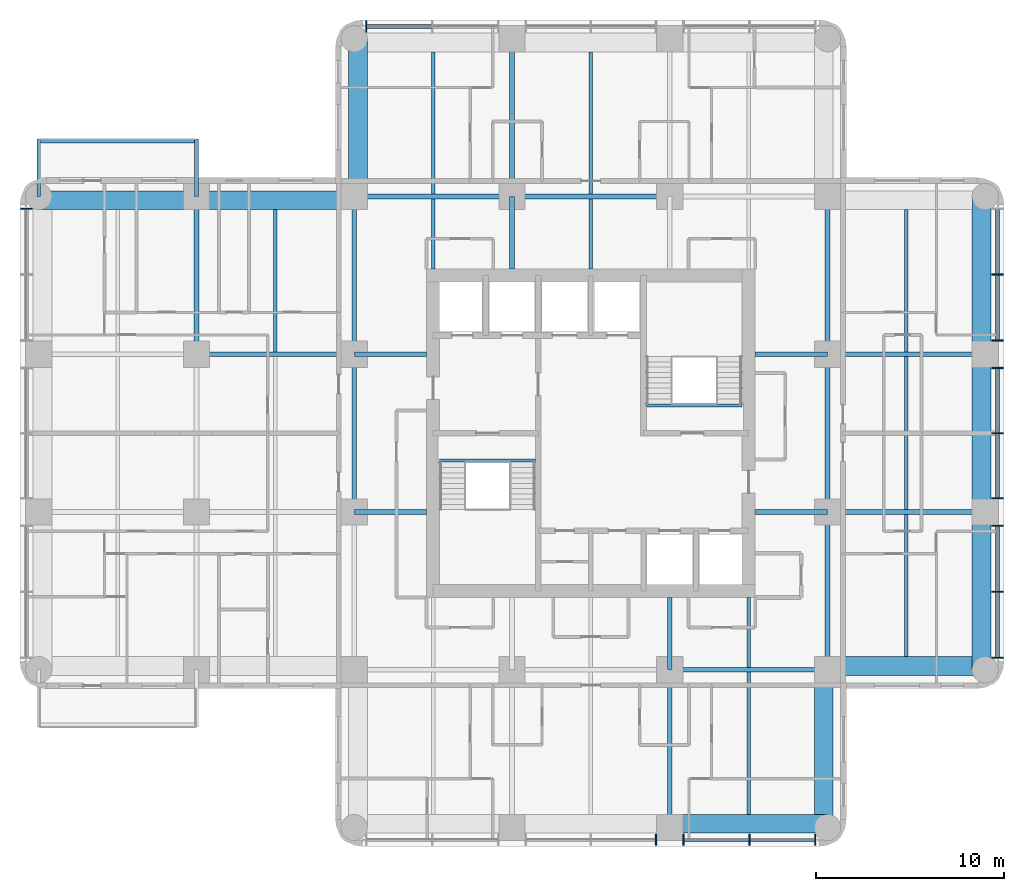
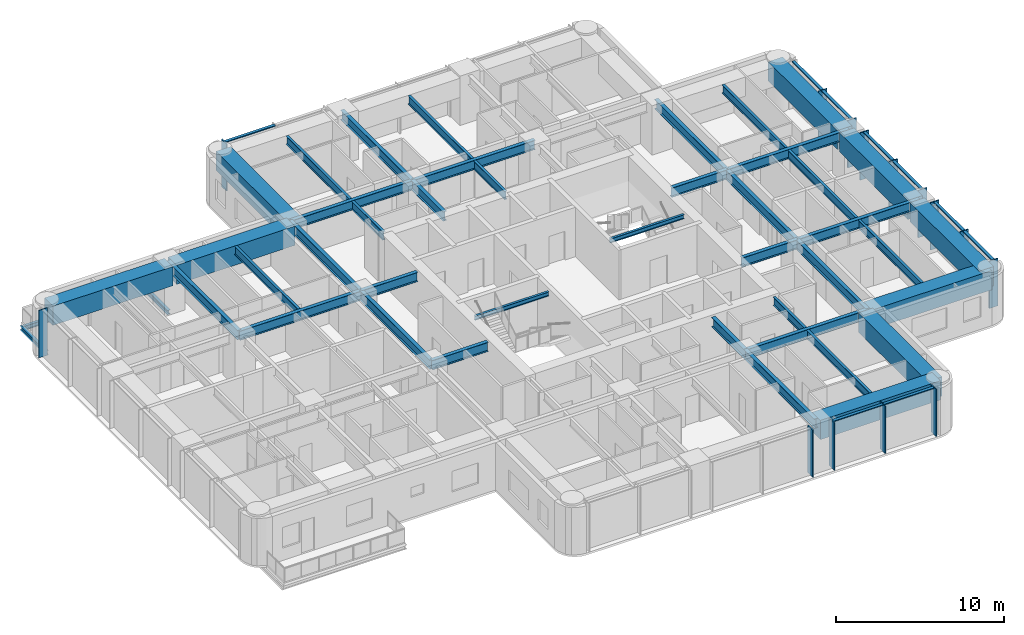
# One storey, part 2 of 11: 44 beams, 23 members, 4 elements without a shape of their own.
"""IFC4 building model written with IfcOpenShell, lengths in metres."""

from ifc_helpers import new_model, si_unit, direction, frame, origin, origin_2d, place, context, subcontext, project, spatial, rectangle, i_section, extrude, material, material_profile, profile_set, type_object, element, aggregate, save


model = new_model("IFC4")

# Units and contexts
model_context = context("Model", 3, precision=1e-05, world=origin(), true_north=direction((0.0, 1.0)))
body_context = subcontext(model_context, "Body", "Model", "MODEL_VIEW")
ifc_project = project(units=[si_unit("LENGTHUNIT", "METRE"), si_unit("AREAUNIT", "SQUARE_METRE"), si_unit("VOLUMEUNIT", "CUBIC_METRE"), si_unit("PLANEANGLEUNIT", "RADIAN"), si_unit("MASSUNIT", "GRAM", prefix="KILO")], contexts=[model_context])

# Site, building, storey
site_placement = place(None, origin())
site = spatial("IfcSite", under=ifc_project, at=site_placement, CompositionType="ELEMENT")
building_placement = place(site_placement, origin())
building = spatial("IfcBuilding", under=site, at=building_placement, Name="Torre Alcanfor", CompositionType="ELEMENT")
storey_placement = place(building_placement, frame((0.0, 0.0, 190.5)))
storey = spatial("IfcBuildingStorey", under=building, at=storey_placement, Name="L49", CompositionType="ELEMENT", Elevation=190.5)

# Beams
ifc_material_1 = material(Name="Steel ASTM A992 Grade 50", Category="steel")
ifc_material_profile_1 = material_profile(ifc_material_1, i_section(OverallWidth=0.205322265625, OverallDepth=0.309814453125, WebThickness=0.00927734375, FlangeThickness=0.016357421875, at=origin_2d()), Name="W12x50")
ifc_profile_set_1 = profile_set([ifc_material_profile_1], Name="Steel ASTM A992 Grade 50")
beam_type_1 = type_object("IfcBeamType", Name="Balcony cantilever beam W12x50", PredefinedType="BEAM", material=ifc_profile_set_1)
for number, where, z_axis, x_axis, name in (
    (1, (8.39990234375, 42.0, -0.35498046875), (0.0, 1.0, 0.0), (-1.0, 0.0, 0.0), "Balcony cantilever beam L49-W2 1"),
    (2, (0.0, 42.0, -0.35498046875), (0.0, 1.0, 0.0), (-1.0, 0.0, 0.0), "Balcony cantilever beam L49-W2 2"),
):
    element("IfcBeam", number, at=place(storey_placement, frame(where, z_axis=z_axis, x_axis=x_axis)), inside=storey, type_object=beam_type_1, Name=name, PredefinedType="BEAM", context=body_context, shape_type="SweptSolid", body=[
        extrude(i_section(OverallWidth=0.205322265625, OverallDepth=0.309814453125, WebThickness=0.00927734375, FlangeThickness=0.016357421875, at=origin_2d()), origin(), (0.0, 0.0, 1.0), 3.050048828125),
    ])
ifc_material_2 = material(Name="Steel ASTM A992 Grade 50", Category="steel")
ifc_material_profile_2 = material_profile(ifc_material_2, i_section(OverallWidth=0.203369140625, OverallDepth=0.30224609375, WebThickness=0.007568359375, FlangeThickness=0.01318359375, at=origin_2d()), Name="W12x40")
ifc_profile_set_2 = profile_set([ifc_material_profile_2], Name="Steel ASTM A992 Grade 50")
beam_type_2 = type_object("IfcBeamType", Name="Balcony edge trimmer W12x40", PredefinedType="BEAM", material=ifc_profile_set_2)
beam_1_placement = place(storey_placement, frame((8.39990234375, 44.9482421875, -0.35107421875), z_axis=(-1.0, 0.0, 0.0), x_axis=(0.0, -1.0, 0.0)))
element("IfcBeam", 3, at=beam_1_placement, inside=storey, type_object=beam_type_2, Name="Balcony edge trimmer L49-W2", PredefinedType="BEAM", context=body_context, shape_type="SweptSolid", body=[
    extrude(i_section(OverallWidth=0.203369140625, OverallDepth=0.30224609375, WebThickness=0.007568359375, FlangeThickness=0.01318359375, at=origin_2d()), origin(), (0.0, 0.0, 1.0), 8.39990234375),
])

# Curtain wall, member
ifc_material_3 = material(Name="Aluminium and glass", Category="aluminium")
curtain_wall_type = type_object("IfcCurtainWallType", Name="CW-A unitised apartment glazing with vertical FIN", PredefinedType="NOTDEFINED", material=ifc_material_3)
curtain_wall_1_placement = place(storey_placement, origin())
curtain_wall_1 = element("IfcCurtainWall", 4, at=curtain_wall_1_placement, inside=storey, type_object=curtain_wall_type, Name="Curtain wall CW-A L49 2", PredefinedType="NOTDEFINED")
ifc_material_4 = material(Name="Bronze anodised aluminium", Category="aluminium")
ifc_material_profile_3 = material_profile(ifc_material_4, rectangle(XDim=0.60009765625, YDim=0.06494140625, at=origin_2d()), Name="CW-A mullion 65x600")
ifc_profile_set_3 = profile_set([ifc_material_profile_3], Name="Bronze anodised aluminium")
member_type_1 = type_object("IfcMemberType", Name="CW-A mullion with vertical FIN 65x600", PredefinedType="MULLION", material=ifc_profile_set_3)
member_1_placement = place(storey_placement, frame((-0.64990234375, 41.35546875, 0.0), z_axis=(0.0, 0.0, 1.0), x_axis=(1.0, 0.0, 0.0)))
member_1 = element("IfcMember", 5, at=member_1_placement, type_object=member_type_1, Name="CW-A mullion 1.1", PredefinedType="MULLION", context=body_context, shape_type="SweptSolid", body=[
    extrude(rectangle(XDim=0.60009765625, YDim=0.06494140625, at=origin_2d()), origin(), (0.0, 0.0, 1.0), 3.449951171875),
])
aggregate(curtain_wall_1, [member_1])

# Curtain wall, members
curtain_wall_2_placement = place(storey_placement, origin())
curtain_wall_2 = element("IfcCurtainWall", 6, at=curtain_wall_2_placement, inside=storey, type_object=curtain_wall_type, Name="Curtain wall CW-A L49 5", PredefinedType="NOTDEFINED")
member_2_placement = place(storey_placement, frame((32.862548828125, 7.75, 0.0), z_axis=(0.0, 0.0, 1.0), x_axis=(0.0, 1.0, 0.0)))
member_2 = element("IfcMember", 7, at=member_2_placement, type_object=member_type_1, Name="CW-A mullion 2.3", PredefinedType="MULLION", context=body_context, shape_type="SweptSolid", body=[
    extrude(rectangle(XDim=0.60009765625, YDim=0.06494140625, at=origin_2d()), origin(), (0.0, 0.0, 1.0), 3.449951171875),
])
member_3_placement = place(storey_placement, frame((34.33740234375, 7.75, 0.0), z_axis=(0.0, 0.0, 1.0), x_axis=(0.0, 1.0, 0.0)))
member_3 = element("IfcMember", 8, at=member_3_placement, type_object=member_type_1, Name="CW-A mullion 3.1", PredefinedType="MULLION", context=body_context, shape_type="SweptSolid", body=[
    extrude(rectangle(XDim=0.60009765625, YDim=0.06494140625, at=origin_2d()), origin(), (0.0, 0.0, 1.0), 3.449951171875),
])
member_4_placement = place(storey_placement, frame((37.846435546875, 7.75, 0.0), z_axis=(0.0, 0.0, 1.0), x_axis=(0.0, 1.0, 0.0)))
member_4 = element("IfcMember", 9, at=member_4_placement, type_object=member_type_1, Name="CW-A mullion 3.2", PredefinedType="MULLION", context=body_context, shape_type="SweptSolid", body=[
    extrude(rectangle(XDim=0.60009765625, YDim=0.06494140625, at=origin_2d()), origin(), (0.0, 0.0, 1.0), 3.449951171875),
])
member_5_placement = place(storey_placement, frame((41.35546875, 7.75, 0.0), z_axis=(0.0, 0.0, 1.0), x_axis=(0.0, 1.0, 0.0)))
member_5 = element("IfcMember", 10, at=member_5_placement, type_object=member_type_1, Name="CW-A mullion 3.3", PredefinedType="MULLION", context=body_context, shape_type="SweptSolid", body=[
    extrude(rectangle(XDim=0.60009765625, YDim=0.06494140625, at=origin_2d()), origin(), (0.0, 0.0, 1.0), 3.449951171875),
])

curtain_wall_3_placement = place(storey_placement, origin())
curtain_wall_3 = element("IfcCurtainWall", 11, at=curtain_wall_3_placement, inside=storey, type_object=curtain_wall_type, Name="Curtain wall CW-A L49 8", PredefinedType="NOTDEFINED")
member_6_placement = place(storey_placement, frame((51.050048828125, 17.444580078125, 0.0), z_axis=(0.0, 0.0, 1.0), x_axis=(-1.0, 0.0, 0.0)))
member_6 = element("IfcMember", 12, at=member_6_placement, type_object=member_type_1, Name="CW-A mullion 1.1", PredefinedType="MULLION", context=body_context, shape_type="SweptSolid", body=[
    extrude(rectangle(XDim=0.60009765625, YDim=0.06494140625, at=origin_2d()), origin(), (0.0, 0.0, 1.0), 3.449951171875),
])
member_7_placement = place(storey_placement, frame((51.050048828125, 20.95361328125, 0.0), z_axis=(0.0, 0.0, 1.0), x_axis=(-1.0, 0.0, 0.0)))
member_7 = element("IfcMember", 13, at=member_7_placement, type_object=member_type_1, Name="CW-A mullion 1.2", PredefinedType="MULLION", context=body_context, shape_type="SweptSolid", body=[
    extrude(rectangle(XDim=0.60009765625, YDim=0.06494140625, at=origin_2d()), origin(), (0.0, 0.0, 1.0), 3.449951171875),
])
member_8_placement = place(storey_placement, frame((51.050048828125, 24.46240234375, 0.0), z_axis=(0.0, 0.0, 1.0), x_axis=(-1.0, 0.0, 0.0)))
member_8 = element("IfcMember", 14, at=member_8_placement, type_object=member_type_1, Name="CW-A mullion 1.3", PredefinedType="MULLION", context=body_context, shape_type="SweptSolid", body=[
    extrude(rectangle(XDim=0.60009765625, YDim=0.06494140625, at=origin_2d()), origin(), (0.0, 0.0, 1.0), 3.449951171875),
])
member_9_placement = place(storey_placement, frame((51.050048828125, 25.9375, 0.0), z_axis=(0.0, 0.0, 1.0), x_axis=(-1.0, 0.0, 0.0)))
member_9 = element("IfcMember", 15, at=member_9_placement, type_object=member_type_1, Name="CW-A mullion 2.1", PredefinedType="MULLION", context=body_context, shape_type="SweptSolid", body=[
    extrude(rectangle(XDim=0.60009765625, YDim=0.06494140625, at=origin_2d()), origin(), (0.0, 0.0, 1.0), 3.449951171875),
])
member_10_placement = place(storey_placement, frame((51.050048828125, 29.39990234375, 0.0), z_axis=(0.0, 0.0, 1.0), x_axis=(-1.0, 0.0, 0.0)))
member_10 = element("IfcMember", 16, at=member_10_placement, type_object=member_type_1, Name="CW-A mullion 2.2", PredefinedType="MULLION", context=body_context, shape_type="SweptSolid", body=[
    extrude(rectangle(XDim=0.60009765625, YDim=0.06494140625, at=origin_2d()), origin(), (0.0, 0.0, 1.0), 3.449951171875),
])
member_11_placement = place(storey_placement, frame((51.050048828125, 32.862548828125, 0.0), z_axis=(0.0, 0.0, 1.0), x_axis=(-1.0, 0.0, 0.0)))
member_11 = element("IfcMember", 17, at=member_11_placement, type_object=member_type_1, Name="CW-A mullion 2.3", PredefinedType="MULLION", context=body_context, shape_type="SweptSolid", body=[
    extrude(rectangle(XDim=0.60009765625, YDim=0.06494140625, at=origin_2d()), origin(), (0.0, 0.0, 1.0), 3.449951171875),
])
member_12_placement = place(storey_placement, frame((51.050048828125, 34.33740234375, 0.0), z_axis=(0.0, 0.0, 1.0), x_axis=(-1.0, 0.0, 0.0)))
member_12 = element("IfcMember", 18, at=member_12_placement, type_object=member_type_1, Name="CW-A mullion 3.1", PredefinedType="MULLION", context=body_context, shape_type="SweptSolid", body=[
    extrude(rectangle(XDim=0.60009765625, YDim=0.06494140625, at=origin_2d()), origin(), (0.0, 0.0, 1.0), 3.449951171875),
])
member_13_placement = place(storey_placement, frame((51.050048828125, 37.846435546875, 0.0), z_axis=(0.0, 0.0, 1.0), x_axis=(-1.0, 0.0, 0.0)))
member_13 = element("IfcMember", 19, at=member_13_placement, type_object=member_type_1, Name="CW-A mullion 3.2", PredefinedType="MULLION", context=body_context, shape_type="SweptSolid", body=[
    extrude(rectangle(XDim=0.60009765625, YDim=0.06494140625, at=origin_2d()), origin(), (0.0, 0.0, 1.0), 3.449951171875),
])

# Curtain wall, member
curtain_wall_4_placement = place(storey_placement, origin())
curtain_wall_4 = element("IfcCurtainWall", 20, at=curtain_wall_4_placement, inside=storey, type_object=curtain_wall_type, Name="Curtain wall CW-A L49 11", PredefinedType="NOTDEFINED")
member_14_placement = place(storey_placement, frame((17.444580078125, 51.050048828125, 0.0), z_axis=(0.0, 0.0, 1.0), x_axis=(0.0, -1.0, 0.0)))
member_14 = element("IfcMember", 21, at=member_14_placement, type_object=member_type_1, Name="CW-A mullion 3.3", PredefinedType="MULLION", context=body_context, shape_type="SweptSolid", body=[
    extrude(rectangle(XDim=0.60009765625, YDim=0.06494140625, at=origin_2d()), origin(), (0.0, 0.0, 1.0), 3.449951171875),
])

# Member
ifc_material_5 = material(Name="Extruded aluminium", Category="aluminium")
ifc_material_profile_4 = material_profile(ifc_material_5, rectangle(XDim=0.199951171875, YDim=0.06494140625, at=origin_2d()), Name="CW-A transom 200x65")
ifc_profile_set_4 = profile_set([ifc_material_profile_4], Name="Extruded aluminium")
member_type_2 = type_object("IfcMemberType", Name="CW-A transom 65x200", PredefinedType="USERDEFINED", material=ifc_profile_set_4)
member_15_placement = place(storey_placement, frame((34.3701171875, 7.75, 3.41748046875), z_axis=(1.0, 0.0, 0.0), x_axis=(0.0, 1.0, 0.0)))
member_15 = element("IfcMember", 22, at=member_15_placement, type_object=member_type_2, Name="CW-A transom 3.1.2", ObjectType="TRANSOM", PredefinedType="USERDEFINED", context=body_context, shape_type="SweptSolid", body=[
    extrude(rectangle(XDim=0.199951171875, YDim=0.06494140625, at=origin_2d()), origin(), (0.0, 0.0, 1.0), 3.44384765625),
])

member_16_placement = place(storey_placement, frame((37.87890625, 7.75, 3.41748046875), z_axis=(1.0, 0.0, 0.0), x_axis=(0.0, 1.0, 0.0)))
member_16 = element("IfcMember", 23, at=member_16_placement, type_object=member_type_2, Name="CW-A transom 3.2.2", ObjectType="TRANSOM", PredefinedType="USERDEFINED", context=body_context, shape_type="SweptSolid", body=[
    extrude(rectangle(XDim=0.199951171875, YDim=0.06494140625, at=origin_2d()), origin(), (0.0, 0.0, 1.0), 3.444091796875),
])

aggregate(curtain_wall_2, [member_2, member_3, member_4, member_5, member_15, member_16])

member_17_placement = place(storey_placement, frame((51.050048828125, 17.47705078125, 3.41748046875), z_axis=(0.0, 1.0, 0.0), x_axis=(-1.0, 0.0, 0.0)))
member_17 = element("IfcMember", 24, at=member_17_placement, type_object=member_type_2, Name="CW-A transom 1.1.2", ObjectType="TRANSOM", PredefinedType="USERDEFINED", context=body_context, shape_type="SweptSolid", body=[
    extrude(rectangle(XDim=0.199951171875, YDim=0.06494140625, at=origin_2d()), origin(), (0.0, 0.0, 1.0), 3.44384765625),
])

member_18_placement = place(storey_placement, frame((51.050048828125, 20.986083984375, 3.41748046875), z_axis=(0.0, 1.0, 0.0), x_axis=(-1.0, 0.0, 0.0)))
member_18 = element("IfcMember", 25, at=member_18_placement, type_object=member_type_2, Name="CW-A transom 1.2.2", ObjectType="TRANSOM", PredefinedType="USERDEFINED", context=body_context, shape_type="SweptSolid", body=[
    extrude(rectangle(XDim=0.199951171875, YDim=0.06494140625, at=origin_2d()), origin(), (0.0, 0.0, 1.0), 3.44384765625),
])

member_19_placement = place(storey_placement, frame((51.050048828125, 25.969970703125, 3.41748046875), z_axis=(0.0, 1.0, 0.0), x_axis=(-1.0, 0.0, 0.0)))
member_19 = element("IfcMember", 26, at=member_19_placement, type_object=member_type_2, Name="CW-A transom 2.1.2", ObjectType="TRANSOM", PredefinedType="USERDEFINED", context=body_context, shape_type="SweptSolid", body=[
    extrude(rectangle(XDim=0.199951171875, YDim=0.06494140625, at=origin_2d()), origin(), (0.0, 0.0, 1.0), 3.3974609375),
])

member_20_placement = place(storey_placement, frame((51.050048828125, 29.4326171875, 3.41748046875), z_axis=(0.0, 1.0, 0.0), x_axis=(-1.0, 0.0, 0.0)))
member_20 = element("IfcMember", 27, at=member_20_placement, type_object=member_type_2, Name="CW-A transom 2.2.2", ObjectType="TRANSOM", PredefinedType="USERDEFINED", context=body_context, shape_type="SweptSolid", body=[
    extrude(rectangle(XDim=0.199951171875, YDim=0.06494140625, at=origin_2d()), origin(), (0.0, 0.0, 1.0), 3.3974609375),
])

member_21_placement = place(storey_placement, frame((51.050048828125, 34.3701171875, 3.41748046875), z_axis=(0.0, 1.0, 0.0), x_axis=(-1.0, 0.0, 0.0)))
member_21 = element("IfcMember", 28, at=member_21_placement, type_object=member_type_2, Name="CW-A transom 3.1.2", ObjectType="TRANSOM", PredefinedType="USERDEFINED", context=body_context, shape_type="SweptSolid", body=[
    extrude(rectangle(XDim=0.199951171875, YDim=0.06494140625, at=origin_2d()), origin(), (0.0, 0.0, 1.0), 3.44384765625),
])

member_22_placement = place(storey_placement, frame((51.050048828125, 37.87890625, 3.41748046875), z_axis=(0.0, 1.0, 0.0), x_axis=(-1.0, 0.0, 0.0)))
member_22 = element("IfcMember", 29, at=member_22_placement, type_object=member_type_2, Name="CW-A transom 3.2.2", ObjectType="TRANSOM", PredefinedType="USERDEFINED", context=body_context, shape_type="SweptSolid", body=[
    extrude(rectangle(XDim=0.199951171875, YDim=0.06494140625, at=origin_2d()), origin(), (0.0, 0.0, 1.0), 3.444091796875),
])

aggregate(curtain_wall_3, [member_6, member_7, member_8, member_17, member_18, member_9, member_10, member_11, member_19, member_20, member_12, member_13, member_21, member_22])

member_23_placement = place(storey_placement, frame((20.9208984375, 51.050048828125, 3.41748046875), z_axis=(-1.0, 0.0, 0.0), x_axis=(0.0, -1.0, 0.0)))
member_23 = element("IfcMember", 30, at=member_23_placement, type_object=member_type_2, Name="CW-A transom 3.2.2", ObjectType="TRANSOM", PredefinedType="USERDEFINED", context=body_context, shape_type="SweptSolid", body=[
    extrude(rectangle(XDim=0.199951171875, YDim=0.06494140625, at=origin_2d()), origin(), (0.0, 0.0, 1.0), 3.44384765625),
])

aggregate(curtain_wall_4, [member_14, member_23])

# Beams
ifc_material_6 = material(Name="Steel ASTM A992 Grade 50", Category="steel")
ifc_material_profile_5 = material_profile(ifc_material_6, i_section(OverallWidth=0.25390625, OverallDepth=0.683349609375, WebThickness=0.012451171875, FlangeThickness=0.01904296875, at=origin_2d()), Name="W27x94")
ifc_profile_set_5 = profile_set([ifc_material_profile_5], Name="Steel ASTM A992 Grade 50")
beam_type_3 = type_object("IfcBeamType", Name="Girder W27x94", PredefinedType="BEAM", material=ifc_profile_set_5)
for number, where, z_axis, x_axis, name in (
    (31, (33.60009765625, 16.800048828125, 3.1083984375), (1.0, 0.0, 0.0), (0.0, 1.0, 0.0), "Beam 5E-6E under L50"),
    (32, (42.0, 25.199951171875, 3.1083984375), (1.0, 0.0, 0.0), (0.0, 1.0, 0.0), "Beam 6F-7F under L50"),
):
    element("IfcBeam", number, at=place(storey_placement, frame(where, z_axis=z_axis, x_axis=x_axis)), inside=storey, type_object=beam_type_3, Name=name, PredefinedType="BEAM", context=body_context, shape_type="SweptSolid", body=[
        extrude(i_section(OverallWidth=0.25390625, OverallDepth=0.683349609375, WebThickness=0.012451171875, FlangeThickness=0.01904296875, at=origin_2d()), origin(), (0.0, 0.0, 1.0), 8.39990234375),
    ])
beam_2_placement = place(storey_placement, frame((8.39990234375, 33.60009765625, 3.1083984375), z_axis=(1.0, 0.0, 0.0), x_axis=(0.0, 1.0, 0.0)))
element("IfcBeam", 33, at=beam_2_placement, inside=storey, type_object=beam_type_3, Name="Beam 2G-3G under L50", PredefinedType="BEAM", context=body_context, shape_type="SweptSolid", body=[
    extrude(i_section(OverallWidth=0.25390625, OverallDepth=0.683349609375, WebThickness=0.012451171875, FlangeThickness=0.01904296875, at=origin_2d()), origin(), (0.0, 0.0, 1.0), 8.400146484375),
])
for number, where, z_axis, x_axis, name in (
    (34, (42.0, 33.60009765625, 3.1083984375), (1.0, 0.0, 0.0), (0.0, 1.0, 0.0), "Beam 6G-7G under L50"),
    (35, (16.800048828125, 42.0, 3.1083984375), (1.0, 0.0, 0.0), (0.0, 1.0, 0.0), "Beam 3H-4H under L50"),
):
    element("IfcBeam", number, at=place(storey_placement, frame(where, z_axis=z_axis, x_axis=x_axis)), inside=storey, type_object=beam_type_3, Name=name, PredefinedType="BEAM", context=body_context, shape_type="SweptSolid", body=[
        extrude(i_section(OverallWidth=0.25390625, OverallDepth=0.683349609375, WebThickness=0.012451171875, FlangeThickness=0.01904296875, at=origin_2d()), origin(), (0.0, 0.0, 1.0), 8.39990234375),
    ])
beam_3_placement = place(storey_placement, frame((25.199951171875, 42.0, 3.1083984375), z_axis=(1.0, 0.0, 0.0), x_axis=(0.0, 1.0, 0.0)))
element("IfcBeam", 36, at=beam_3_placement, inside=storey, type_object=beam_type_3, Name="Beam 4H-5H under L50", PredefinedType="BEAM", context=body_context, shape_type="SweptSolid", body=[
    extrude(i_section(OverallWidth=0.25390625, OverallDepth=0.683349609375, WebThickness=0.012451171875, FlangeThickness=0.01904296875, at=origin_2d()), origin(), (0.0, 0.0, 1.0), 8.400146484375),
])
beam_4_placement = place(storey_placement, frame((8.39990234375, 33.60009765625, 3.1083984375), z_axis=(0.0, 1.0, 0.0), x_axis=(-1.0, 0.0, 0.0)))
element("IfcBeam", 37, at=beam_4_placement, inside=storey, type_object=beam_type_3, Name="Beam 2G-2H under L50", PredefinedType="BEAM", context=body_context, shape_type="SweptSolid", body=[
    extrude(i_section(OverallWidth=0.25390625, OverallDepth=0.683349609375, WebThickness=0.012451171875, FlangeThickness=0.01904296875, at=origin_2d()), origin(), (0.0, 0.0, 1.0), 8.39990234375),
])
beam_5_placement = place(storey_placement, frame((16.800048828125, 25.199951171875, 3.1083984375), z_axis=(0.0, 1.0, 0.0), x_axis=(-1.0, 0.0, 0.0)))
element("IfcBeam", 38, at=beam_5_placement, inside=storey, type_object=beam_type_3, Name="Beam 3F-3G under L50", PredefinedType="BEAM", context=body_context, shape_type="SweptSolid", body=[
    extrude(i_section(OverallWidth=0.25390625, OverallDepth=0.683349609375, WebThickness=0.012451171875, FlangeThickness=0.01904296875, at=origin_2d()), origin(), (0.0, 0.0, 1.0), 8.400146484375),
])
for number, where, z_axis, x_axis, name in (
    (39, (16.800048828125, 33.60009765625, 3.1083984375), (0.0, 1.0, 0.0), (-1.0, 0.0, 0.0), "Beam 3G-3H under L50"),
    (40, (25.199951171875, 42.0, 3.1083984375), (0.0, 1.0, 0.0), (-1.0, 0.0, 0.0), "Beam 4H-4J under L50"),
):
    element("IfcBeam", number, at=place(storey_placement, frame(where, z_axis=z_axis, x_axis=x_axis)), inside=storey, type_object=beam_type_3, Name=name, PredefinedType="BEAM", context=body_context, shape_type="SweptSolid", body=[
        extrude(i_section(OverallWidth=0.25390625, OverallDepth=0.683349609375, WebThickness=0.012451171875, FlangeThickness=0.01904296875, at=origin_2d()), origin(), (0.0, 0.0, 1.0), 8.39990234375),
    ])
beam_6_placement = place(storey_placement, frame((33.60009765625, 8.39990234375, 3.1083984375), z_axis=(0.0, 1.0, 0.0), x_axis=(-1.0, 0.0, 0.0)))
element("IfcBeam", 41, at=beam_6_placement, inside=storey, type_object=beam_type_3, Name="Beam 5D-5E under L50", PredefinedType="BEAM", context=body_context, shape_type="SweptSolid", body=[
    extrude(i_section(OverallWidth=0.25390625, OverallDepth=0.683349609375, WebThickness=0.012451171875, FlangeThickness=0.01904296875, at=origin_2d()), origin(), (0.0, 0.0, 1.0), 8.400146484375),
])
beam_7_placement = place(storey_placement, frame((42.0, 16.800048828125, 3.1083984375), z_axis=(0.0, 1.0, 0.0), x_axis=(-1.0, 0.0, 0.0)))
element("IfcBeam", 42, at=beam_7_placement, inside=storey, type_object=beam_type_3, Name="Beam 6E-6F under L50", PredefinedType="BEAM", context=body_context, shape_type="SweptSolid", body=[
    extrude(i_section(OverallWidth=0.25390625, OverallDepth=0.683349609375, WebThickness=0.012451171875, FlangeThickness=0.01904296875, at=origin_2d()), origin(), (0.0, 0.0, 1.0), 8.39990234375),
])
beam_8_placement = place(storey_placement, frame((42.0, 25.199951171875, 3.1083984375), z_axis=(0.0, 1.0, 0.0), x_axis=(-1.0, 0.0, 0.0)))
element("IfcBeam", 43, at=beam_8_placement, inside=storey, type_object=beam_type_3, Name="Beam 6F-6G under L50", PredefinedType="BEAM", context=body_context, shape_type="SweptSolid", body=[
    extrude(i_section(OverallWidth=0.25390625, OverallDepth=0.683349609375, WebThickness=0.012451171875, FlangeThickness=0.01904296875, at=origin_2d()), origin(), (0.0, 0.0, 1.0), 8.400146484375),
])
beam_9_placement = place(storey_placement, frame((42.0, 33.60009765625, 3.1083984375), z_axis=(0.0, 1.0, 0.0), x_axis=(-1.0, 0.0, 0.0)))
element("IfcBeam", 44, at=beam_9_placement, inside=storey, type_object=beam_type_3, Name="Beam 6G-6H under L50", PredefinedType="BEAM", context=body_context, shape_type="SweptSolid", body=[
    extrude(i_section(OverallWidth=0.25390625, OverallDepth=0.683349609375, WebThickness=0.012451171875, FlangeThickness=0.01904296875, at=origin_2d()), origin(), (0.0, 0.0, 1.0), 8.39990234375),
])
ifc_material_7 = material(Name="Steel ASTM A992 Grade 50", Category="steel")
ifc_material_profile_6 = material_profile(ifc_material_7, i_section(OverallWidth=0.25390625, OverallDepth=0.683349609375, WebThickness=0.012451171875, FlangeThickness=0.01904296875, at=origin_2d()), Name="W27x94")
ifc_profile_set_6 = profile_set([ifc_material_profile_6], Name="Steel ASTM A992 Grade 50")
beam_type_4 = type_object("IfcBeamType", Name="Girder, part bay W27x94", PredefinedType="BEAM", material=ifc_profile_set_6)
beam_10_placement = place(storey_placement, frame((25.199951171875, 42.0, 3.1083984375), z_axis=(0.0, -1.0, 0.0), x_axis=(1.0, 0.0, 0.0)))
element("IfcBeam", 45, at=beam_10_placement, inside=storey, type_object=beam_type_4, Name="Beam 4H-438_15 under L50", PredefinedType="BEAM", context=body_context, shape_type="SweptSolid", body=[
    extrude(i_section(OverallWidth=0.25390625, OverallDepth=0.683349609375, WebThickness=0.012451171875, FlangeThickness=0.01904296875, at=origin_2d()), origin(), (0.0, 0.0, 1.0), 3.85009765625),
])
for number, where, z_axis, x_axis, name in (
    (46, (33.60009765625, 16.800048828125, 3.1083984375), (0.0, 1.0, 0.0), (-1.0, 0.0, 0.0), "Beam 5E-520_65 under L50"),
    (47, (16.800048828125, 25.199951171875, 3.1083984375), (1.0, 0.0, 0.0), (0.0, 1.0, 0.0), "Beam 3F-20_65F under L50"),
):
    element("IfcBeam", number, at=place(storey_placement, frame(where, z_axis=z_axis, x_axis=x_axis)), inside=storey, type_object=beam_type_4, Name=name, PredefinedType="BEAM", context=body_context, shape_type="SweptSolid", body=[
        extrude(i_section(OverallWidth=0.25390625, OverallDepth=0.683349609375, WebThickness=0.012451171875, FlangeThickness=0.01904296875, at=origin_2d()), origin(), (0.0, 0.0, 1.0), 3.849853515625),
    ])
beam_11_placement = place(storey_placement, frame((42.0, 25.199951171875, 3.1083984375), z_axis=(-1.0, 0.0, 0.0), x_axis=(0.0, -1.0, 0.0)))
element("IfcBeam", 48, at=beam_11_placement, inside=storey, type_object=beam_type_4, Name="Beam 6F-38_15F under L50", PredefinedType="BEAM", context=body_context, shape_type="SweptSolid", body=[
    extrude(i_section(OverallWidth=0.25390625, OverallDepth=0.683349609375, WebThickness=0.012451171875, FlangeThickness=0.01904296875, at=origin_2d()), origin(), (0.0, 0.0, 1.0), 3.85009765625),
])
beam_12_placement = place(storey_placement, frame((16.800048828125, 33.60009765625, 3.1083984375), z_axis=(1.0, 0.0, 0.0), x_axis=(0.0, 1.0, 0.0)))
element("IfcBeam", 49, at=beam_12_placement, inside=storey, type_object=beam_type_4, Name="Beam 3G-20_65G under L50", PredefinedType="BEAM", context=body_context, shape_type="SweptSolid", body=[
    extrude(i_section(OverallWidth=0.25390625, OverallDepth=0.683349609375, WebThickness=0.012451171875, FlangeThickness=0.01904296875, at=origin_2d()), origin(), (0.0, 0.0, 1.0), 3.849853515625),
])
beam_13_placement = place(storey_placement, frame((42.0, 33.60009765625, 3.1083984375), z_axis=(-1.0, 0.0, 0.0), x_axis=(0.0, -1.0, 0.0)))
element("IfcBeam", 50, at=beam_13_placement, inside=storey, type_object=beam_type_4, Name="Beam 6G-38_15G under L50", PredefinedType="BEAM", context=body_context, shape_type="SweptSolid", body=[
    extrude(i_section(OverallWidth=0.25390625, OverallDepth=0.683349609375, WebThickness=0.012451171875, FlangeThickness=0.01904296875, at=origin_2d()), origin(), (0.0, 0.0, 1.0), 3.85009765625),
])
ifc_material_8 = material(Name="Concrete f'c 70 MPa", Category="concrete")
ifc_material_profile_7 = material_profile(ifc_material_8, rectangle(XDim=1.0, YDim=1.39990234375, at=origin_2d()), Name="1000x1400")
ifc_profile_set_7 = profile_set([ifc_material_profile_7], Name="Concrete f'c 70 MPa")
beam_type_5 = type_object("IfcBeamType", Name="RC perimeter beam 1000x1400", PredefinedType="BEAM", material=ifc_profile_set_7)
for number, where, z_axis, x_axis, name in (
    (51, (33.72705078125, 8.60009765625, 2.75), (1.0, 0.0, 0.0), (0.0, 1.0, 0.0), "Beam 5D-6D under L50"),
    (52, (42.126953125, 17.0, 2.75), (1.0, 0.0, 0.0), (0.0, 1.0, 0.0), "Beam 6E-7E under L50"),
    (53, (0.0, 41.800048828125, 2.75), (1.0, 0.0, 0.0), (0.0, 1.0, 0.0), "Beam 1H-2H under L50"),
):
    element("IfcBeam", number, at=place(storey_placement, frame(where, z_axis=z_axis, x_axis=x_axis)), inside=storey, type_object=beam_type_5, Name=name, PredefinedType="BEAM", context=body_context, shape_type="SweptSolid", body=[
        extrude(rectangle(XDim=1.0, YDim=1.39990234375, at=origin_2d()), origin(), (0.0, 0.0, 1.0), 8.27294921875),
    ])
beam_14_placement = place(storey_placement, frame((8.527099609375, 41.800048828125, 2.75), z_axis=(1.0, 0.0, 0.0), x_axis=(0.0, 1.0, 0.0)))
element("IfcBeam", 54, at=beam_14_placement, inside=storey, type_object=beam_type_5, Name="Beam 2H-3H under L50", PredefinedType="BEAM", context=body_context, shape_type="SweptSolid", body=[
    extrude(rectangle(XDim=1.0, YDim=1.39990234375, at=origin_2d()), origin(), (0.0, 0.0, 1.0), 8.14599609375),
])
beam_15_placement = place(storey_placement, frame((17.0, 42.126953125, 2.75), z_axis=(0.0, 1.0, 0.0), x_axis=(-1.0, 0.0, 0.0)))
element("IfcBeam", 55, at=beam_15_placement, inside=storey, type_object=beam_type_5, Name="Beam 3H-3J under L50", PredefinedType="BEAM", context=body_context, shape_type="SweptSolid", body=[
    extrude(rectangle(XDim=1.0, YDim=1.39990234375, at=origin_2d()), origin(), (0.0, 0.0, 1.0), 8.27294921875),
])
beam_16_placement = place(storey_placement, frame((41.800048828125, 8.39990234375, 2.75), z_axis=(0.0, 1.0, 0.0), x_axis=(-1.0, 0.0, 0.0)))
element("IfcBeam", 56, at=beam_16_placement, inside=storey, type_object=beam_type_5, Name="Beam 6D-6E under L50", PredefinedType="BEAM", context=body_context, shape_type="SweptSolid", body=[
    extrude(rectangle(XDim=1.0, YDim=1.39990234375, at=origin_2d()), origin(), (0.0, 0.0, 1.0), 8.273193359375),
])
beam_17_placement = place(storey_placement, frame((50.199951171875, 16.800048828125, 2.75), z_axis=(0.0, 1.0, 0.0), x_axis=(-1.0, 0.0, 0.0)))
element("IfcBeam", 57, at=beam_17_placement, inside=storey, type_object=beam_type_5, Name="Beam 7E-7F under L50", PredefinedType="BEAM", context=body_context, shape_type="SweptSolid", body=[
    extrude(rectangle(XDim=1.0, YDim=1.39990234375, at=origin_2d()), origin(), (0.0, 0.0, 1.0), 8.27294921875),
])
beam_18_placement = place(storey_placement, frame((50.199951171875, 25.326904296875, 2.75), z_axis=(0.0, 1.0, 0.0), x_axis=(-1.0, 0.0, 0.0)))
element("IfcBeam", 58, at=beam_18_placement, inside=storey, type_object=beam_type_5, Name="Beam 7F-7G under L50", PredefinedType="BEAM", context=body_context, shape_type="SweptSolid", body=[
    extrude(rectangle(XDim=1.0, YDim=1.39990234375, at=origin_2d()), origin(), (0.0, 0.0, 1.0), 8.14599609375),
])
beam_19_placement = place(storey_placement, frame((50.199951171875, 33.72705078125, 2.75), z_axis=(0.0, 1.0, 0.0), x_axis=(-1.0, 0.0, 0.0)))
element("IfcBeam", 59, at=beam_19_placement, inside=storey, type_object=beam_type_5, Name="Beam 7G-7H under L50", PredefinedType="BEAM", context=body_context, shape_type="SweptSolid", body=[
    extrude(rectangle(XDim=1.0, YDim=1.39990234375, at=origin_2d()), origin(), (0.0, 0.0, 1.0), 8.27294921875),
])
ifc_material_9 = material(Name="Steel ASTM A992 Grade 50", Category="steel")
ifc_material_profile_8 = material_profile(ifc_material_9, i_section(OverallWidth=0.1787109375, OverallDepth=0.60205078125, WebThickness=0.010986328125, FlangeThickness=0.014892578125, at=origin_2d()), Name="W24x62")
ifc_profile_set_8 = profile_set([ifc_material_profile_8], Name="Steel ASTM A992 Grade 50")
beam_type_6 = type_object("IfcBeamType", Name="Secondary beam W24x62", PredefinedType="BEAM", material=ifc_profile_set_8)
for number, where, z_axis, x_axis, name in (
    (60, (12.60009765625, 33.72705078125, 3.14892578125), (0.0, 1.0, 0.0), (-1.0, 0.0, 0.0), "Beam 12_6G-12_6H under L50"),
    (61, (21.0, 42.126953125, 3.14892578125), (0.0, 1.0, 0.0), (-1.0, 0.0, 0.0), "Beam 21H-21J under L50"),
    (62, (29.39990234375, 42.126953125, 3.14892578125), (0.0, 1.0, 0.0), (-1.0, 0.0, 0.0), "Beam 29_4H-29_4J under L50"),
    (63, (37.800048828125, 9.10009765625, 3.14892578125), (0.0, 1.0, 0.0), (-1.0, 0.0, 0.0), "Beam 37_8D-37_8E under L50"),
    (64, (46.199951171875, 17.5, 3.14892578125), (0.0, 1.0, 0.0), (-1.0, 0.0, 0.0), "Beam 46_2E-46_2F under L50"),
):
    element("IfcBeam", number, at=place(storey_placement, frame(where, z_axis=z_axis, x_axis=x_axis)), inside=storey, type_object=beam_type_6, Name=name, PredefinedType="BEAM", context=body_context, shape_type="SweptSolid", body=[
        extrude(i_section(OverallWidth=0.1787109375, OverallDepth=0.60205078125, WebThickness=0.010986328125, FlangeThickness=0.014892578125, at=origin_2d()), origin(), (0.0, 0.0, 1.0), 7.572998046875),
    ])
beam_20_placement = place(storey_placement, frame((46.199951171875, 25.326904296875, 3.14892578125), z_axis=(0.0, 1.0, 0.0), x_axis=(-1.0, 0.0, 0.0)))
element("IfcBeam", 65, at=beam_20_placement, inside=storey, type_object=beam_type_6, Name="Beam 46_2F-46_2G under L50", PredefinedType="BEAM", context=body_context, shape_type="SweptSolid", body=[
    extrude(i_section(OverallWidth=0.1787109375, OverallDepth=0.60205078125, WebThickness=0.010986328125, FlangeThickness=0.014892578125, at=origin_2d()), origin(), (0.0, 0.0, 1.0), 8.14599609375),
])
beam_21_placement = place(storey_placement, frame((46.199951171875, 33.72705078125, 3.14892578125), z_axis=(0.0, 1.0, 0.0), x_axis=(-1.0, 0.0, 0.0)))
element("IfcBeam", 66, at=beam_21_placement, inside=storey, type_object=beam_type_6, Name="Beam 46_2G-46_2H under L50", PredefinedType="BEAM", context=body_context, shape_type="SweptSolid", body=[
    extrude(i_section(OverallWidth=0.1787109375, OverallDepth=0.60205078125, WebThickness=0.010986328125, FlangeThickness=0.014892578125, at=origin_2d()), origin(), (0.0, 0.0, 1.0), 7.572998046875),
])
ifc_material_10 = material(Name="Steel ASTM A992 Grade 50", Category="steel")
ifc_material_profile_9 = material_profile(ifc_material_10, i_section(OverallWidth=0.1787109375, OverallDepth=0.60205078125, WebThickness=0.010986328125, FlangeThickness=0.014892578125, at=origin_2d()), Name="W24x62")
ifc_profile_set_9 = profile_set([ifc_material_profile_9], Name="Steel ASTM A992 Grade 50")
beam_type_7 = type_object("IfcBeamType", Name="Secondary beam, part bay W24x62", PredefinedType="BEAM", material=ifc_profile_set_9)
for number, where, z_axis, x_axis, name in (
    (67, (21.0, 38.14990234375, 3.14892578125), (0.0, 1.0, 0.0), (-1.0, 0.0, 0.0), "Beam 2138_15-21H under L50"),
    (68, (29.39990234375, 38.14990234375, 3.14892578125), (0.0, 1.0, 0.0), (-1.0, 0.0, 0.0), "Beam 29_438_15-29_4H under L50"),
):
    element("IfcBeam", number, at=place(storey_placement, frame(where, z_axis=z_axis, x_axis=x_axis)), inside=storey, type_object=beam_type_7, Name=name, PredefinedType="BEAM", context=body_context, shape_type="SweptSolid", body=[
        extrude(i_section(OverallWidth=0.1787109375, OverallDepth=0.60205078125, WebThickness=0.010986328125, FlangeThickness=0.014892578125, at=origin_2d()), origin(), (0.0, 0.0, 1.0), 3.72314453125),
    ])
beam_22_placement = place(storey_placement, frame((37.800048828125, 16.927001953125, 3.14892578125), z_axis=(0.0, 1.0, 0.0), x_axis=(-1.0, 0.0, 0.0)))
element("IfcBeam", 69, at=beam_22_placement, inside=storey, type_object=beam_type_7, Name="Beam 37_8E-37_820_65 under L50", PredefinedType="BEAM", context=body_context, shape_type="SweptSolid", body=[
    extrude(i_section(OverallWidth=0.1787109375, OverallDepth=0.60205078125, WebThickness=0.010986328125, FlangeThickness=0.014892578125, at=origin_2d()), origin(), (0.0, 0.0, 1.0), 3.722900390625),
])
ifc_material_11 = material(Name="Steel ASTM A992 Grade 50", Category="steel")
ifc_material_profile_10 = material_profile(ifc_material_11, i_section(OverallWidth=0.164794921875, OverallDepth=0.309814453125, WebThickness=0.005859375, FlangeThickness=0.009765625, at=origin_2d()), Name="W12x26")
ifc_profile_set_10 = profile_set([ifc_material_profile_10], Name="Steel ASTM A992 Grade 50")
beam_type_8 = type_object("IfcBeamType", Name="Stair landing beam W12x26", PredefinedType="BEAM", material=ifc_profile_set_10)
for number, where, z_axis, x_axis, name in (
    (70, (21.35009765625, 27.9375, 3.2451171875), (1.0, 0.0, 0.0), (0.0, 1.0, 0.0), "Landing trimmer S1 L50"),
    (71, (32.35009765625, 30.862548828125, 3.2451171875), (1.0, 0.0, 0.0), (0.0, 1.0, 0.0), "Landing trimmer S2 L50"),
):
    element("IfcBeam", number, at=place(storey_placement, frame(where, z_axis=z_axis, x_axis=x_axis)), inside=storey, type_object=beam_type_8, Name=name, PredefinedType="BEAM", context=body_context, shape_type="SweptSolid", body=[
        extrude(i_section(OverallWidth=0.164794921875, OverallDepth=0.309814453125, WebThickness=0.005859375, FlangeThickness=0.009765625, at=origin_2d()), origin(), (0.0, 0.0, 1.0), 5.099853515625),
    ])

save(model, "model.ifc")
